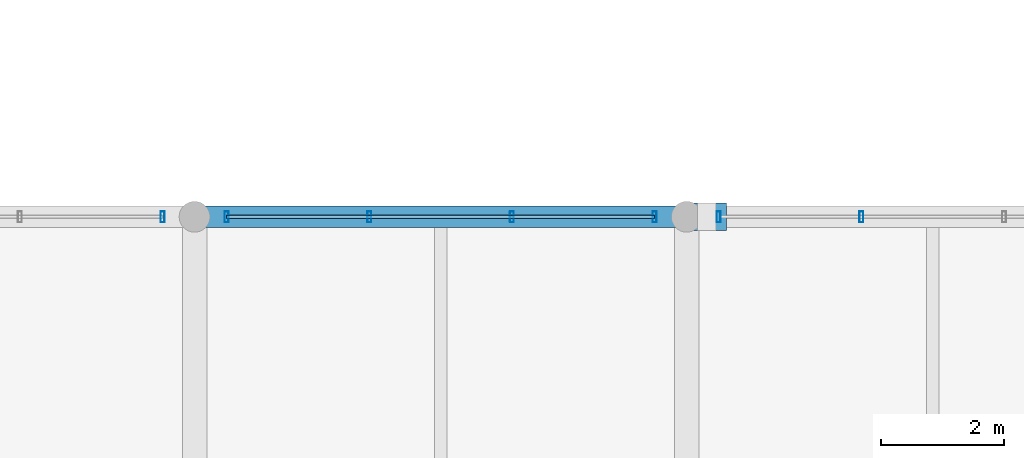
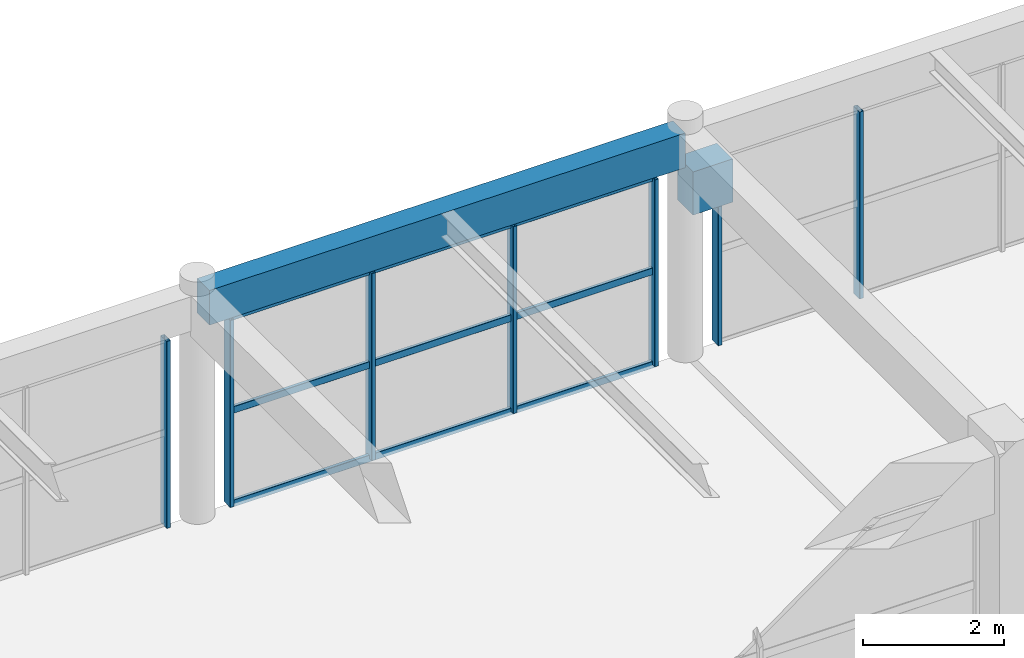
# One storey, part 46 of 126: 10 members, 2 beams, 3 elements without a shape of their own.
"""IFC4 building model written with IfcOpenShell, lengths in metres."""

from ifc_helpers import new_model, si_unit, direction, frame, origin, origin_2d, place, context, subcontext, project, spatial, rectangle, hollow_rectangle, extrude, material, material_profile, profile_set, type_object, element, aggregate, save


model = new_model("IFC4")

# Units and contexts
model_context = context("Model", 3, precision=1e-05, world=origin(), true_north=direction((0.0, 1.0)))
body_context = subcontext(model_context, "Body", "Model", "MODEL_VIEW")
ifc_project = project(units=[si_unit("LENGTHUNIT", "METRE"), si_unit("AREAUNIT", "SQUARE_METRE"), si_unit("VOLUMEUNIT", "CUBIC_METRE"), si_unit("PLANEANGLEUNIT", "RADIAN"), si_unit("MASSUNIT", "GRAM", prefix="KILO")], contexts=[model_context])

# Site, building, storey
site_placement = place(None, origin())
site = spatial("IfcSite", under=ifc_project, at=site_placement, CompositionType="ELEMENT")
building_placement = place(site_placement, origin())
building = spatial("IfcBuilding", under=site, at=building_placement, Name="Varnabhumi Central Station", CompositionType="ELEMENT")
storey_placement = place(building_placement, frame((0.0, 0.0, 16.199951171875)))
storey = spatial("IfcBuildingStorey", under=building, at=storey_placement, Name="L03", CompositionType="ELEMENT", Elevation=16.199951171875)

# Beams
ifc_material_1 = material(Name="Concrete M40", Category="concrete")
ifc_material_profile_1 = material_profile(ifc_material_1, rectangle(XDim=0.35009765625, YDim=0.60009765625, at=origin_2d()), Name="Concrete M40", Category="concrete")
ifc_profile_set_1 = profile_set([ifc_material_profile_1], Name="Concrete M40")
beam_type_1 = type_object("IfcBeamType", Name="BM-RC-350x600", PredefinedType="BEAM", material=ifc_profile_set_1)
beam_1_placement = place(storey_placement, frame((56.10009765625, 89.0, 3.650146484375), z_axis=(1.0, 0.0, 0.0), x_axis=(0.0, 1.0, 0.0)))
element("IfcBeam", 1, at=beam_1_placement, inside=storey, type_object=beam_type_1, Name="Beam L03-L:8-9", PredefinedType="BEAM", context=body_context, shape_type="SweptSolid", body=[
    extrude(rectangle(XDim=0.35009765625, YDim=0.60009765625, at=origin_2d()), origin(), (0.0, 0.0, 1.0), 7.7998046875),
])
ifc_material_profile_2 = material_profile(ifc_material_1, rectangle(XDim=0.449951171875, YDim=0.75, at=origin_2d()), Name="Concrete M40", Category="concrete")
ifc_profile_set_2 = profile_set([ifc_material_profile_2], Name="Concrete M40")
beam_type_2 = type_object("IfcBeamType", Name="BM-RC-450x750", PredefinedType="BEAM", material=ifc_profile_set_2)
beam_2_placement = place(storey_placement, frame((64.0, 89.0, 2.89501953125), z_axis=(1.0, 0.0, 0.0), x_axis=(0.0, 1.0, 0.0)))
element("IfcBeam", 2, at=beam_2_placement, inside=storey, type_object=beam_type_2, Name="Movement Joint 650mm Corbel Seat L03-L-9", PredefinedType="BEAM", context=body_context, shape_type="SweptSolid", body=[
    extrude(rectangle(XDim=0.449951171875, YDim=0.75, at=origin_2d()), origin(), (0.0, 0.0, 1.0), 0.64990234375),
])

# Curtain wall, member
ifc_material_2 = material(Name="Anodised aluminium 6063-T6", Category="aluminium")
curtain_wall_type = type_object("IfcCurtainWallType", Name="CW-PATIO-LOGGIA-L3", PredefinedType="NOTDEFINED", material=ifc_material_2)
curtain_wall_1_placement = place(storey_placement, origin())
curtain_wall_1 = element("IfcCurtainWall", 3, at=curtain_wall_1_placement, inside=storey, type_object=curtain_wall_type, Name="Curtain Wall CW-NP3S1", PredefinedType="NOTDEFINED")
ifc_material_profile_3 = material_profile(ifc_material_2, hollow_rectangle(XDim=0.06494140625, YDim=0.179931640625, WallThickness=0.00390625, InnerFilletRadius=0.001953125, OuterFilletRadius=0.006103515625, at=origin_2d()), Name="Anodised aluminium 6063-T6", Category="aluminium")
ifc_profile_set_3 = profile_set([ifc_material_profile_3], Name="Anodised aluminium 6063-T6")
member_type_1 = type_object("IfcMemberType", Name="CW-MUL-180", PredefinedType="MULLION", material=ifc_profile_set_3)
member_1_placement = place(storey_placement, frame((55.47998046875, 89.0, 0.0), z_axis=(0.0, 0.0, 1.0), x_axis=(1.0, 0.0, 0.0)))
member_1 = element("IfcMember", 4, at=member_1_placement, type_object=member_type_1, Name="Curtain Wall Mullion CW-NP3S1-M4", PredefinedType="MULLION", context=body_context, shape_type="SweptSolid", body=[
    extrude(hollow_rectangle(XDim=0.06494140625, YDim=0.179931640625, WallThickness=0.00390625, InnerFilletRadius=0.001953125, OuterFilletRadius=0.006103515625, at=origin_2d()), origin(), (0.0, 0.0, 1.0), 3.239990234375),
])
aggregate(curtain_wall_1, [member_1])

# Curtain wall, members
curtain_wall_2_placement = place(storey_placement, origin())
curtain_wall_2 = element("IfcCurtainWall", 5, at=curtain_wall_2_placement, inside=storey, type_object=curtain_wall_type, Name="Curtain Wall CW-NP3S2", PredefinedType="NOTDEFINED")
member_2_placement = place(storey_placement, frame((56.52001953125, 89.0, 0.0), z_axis=(0.0, 0.0, 1.0), x_axis=(1.0, 0.0, 0.0)))
member_2 = element("IfcMember", 6, at=member_2_placement, type_object=member_type_1, Name="Curtain Wall Mullion CW-NP3S2-M1", PredefinedType="MULLION", context=body_context, shape_type="SweptSolid", body=[
    extrude(hollow_rectangle(XDim=0.06494140625, YDim=0.179931640625, WallThickness=0.00390625, InnerFilletRadius=0.001953125, OuterFilletRadius=0.006103515625, at=origin_2d()), origin(), (0.0, 0.0, 1.0), 3.239990234375),
])
member_3_placement = place(storey_placement, frame((58.840087890625, 89.0, 0.0), z_axis=(0.0, 0.0, 1.0), x_axis=(1.0, 0.0, 0.0)))
member_3 = element("IfcMember", 7, at=member_3_placement, type_object=member_type_1, Name="Curtain Wall Mullion CW-NP3S2-M2", PredefinedType="MULLION", context=body_context, shape_type="SweptSolid", body=[
    extrude(hollow_rectangle(XDim=0.06494140625, YDim=0.179931640625, WallThickness=0.00390625, InnerFilletRadius=0.001953125, OuterFilletRadius=0.006103515625, at=origin_2d()), origin(), (0.0, 0.0, 1.0), 3.239990234375),
])
member_4_placement = place(storey_placement, frame((61.159912109375, 89.0, 0.0), z_axis=(0.0, 0.0, 1.0), x_axis=(1.0, 0.0, 0.0)))
member_4 = element("IfcMember", 8, at=member_4_placement, type_object=member_type_1, Name="Curtain Wall Mullion CW-NP3S2-M3", PredefinedType="MULLION", context=body_context, shape_type="SweptSolid", body=[
    extrude(hollow_rectangle(XDim=0.06494140625, YDim=0.179931640625, WallThickness=0.00390625, InnerFilletRadius=0.001953125, OuterFilletRadius=0.006103515625, at=origin_2d()), origin(), (0.0, 0.0, 1.0), 3.239990234375),
])
member_5_placement = place(storey_placement, frame((63.47998046875, 89.0, 0.0), z_axis=(0.0, 0.0, 1.0), x_axis=(1.0, 0.0, 0.0)))
member_5 = element("IfcMember", 9, at=member_5_placement, type_object=member_type_1, Name="Curtain Wall Mullion CW-NP3S2-M4", PredefinedType="MULLION", context=body_context, shape_type="SweptSolid", body=[
    extrude(hollow_rectangle(XDim=0.06494140625, YDim=0.179931640625, WallThickness=0.00390625, InnerFilletRadius=0.001953125, OuterFilletRadius=0.006103515625, at=origin_2d()), origin(), (0.0, 0.0, 1.0), 3.239990234375),
])

curtain_wall_3_placement = place(storey_placement, origin())
curtain_wall_3 = element("IfcCurtainWall", 10, at=curtain_wall_3_placement, inside=storey, type_object=curtain_wall_type, Name="Curtain Wall CW-NP3S3", PredefinedType="NOTDEFINED")
member_6_placement = place(storey_placement, frame((64.52001953125, 89.0, 0.0), z_axis=(0.0, 0.0, 1.0), x_axis=(1.0, 0.0, 0.0)))
member_6 = element("IfcMember", 11, at=member_6_placement, type_object=member_type_1, Name="Curtain Wall Mullion CW-NP3S3-M1", PredefinedType="MULLION", context=body_context, shape_type="SweptSolid", body=[
    extrude(hollow_rectangle(XDim=0.06494140625, YDim=0.179931640625, WallThickness=0.00390625, InnerFilletRadius=0.001953125, OuterFilletRadius=0.006103515625, at=origin_2d()), origin(), (0.0, 0.0, 1.0), 3.239990234375),
])
member_7_placement = place(storey_placement, frame((66.840087890625, 89.0, 0.0), z_axis=(0.0, 0.0, 1.0), x_axis=(1.0, 0.0, 0.0)))
member_7 = element("IfcMember", 12, at=member_7_placement, type_object=member_type_1, Name="Curtain Wall Mullion CW-NP3S3-M2", PredefinedType="MULLION", context=body_context, shape_type="SweptSolid", body=[
    extrude(hollow_rectangle(XDim=0.06494140625, YDim=0.179931640625, WallThickness=0.00390625, InnerFilletRadius=0.001953125, OuterFilletRadius=0.006103515625, at=origin_2d()), origin(), (0.0, 0.0, 1.0), 3.239990234375),
])
aggregate(curtain_wall_3, [member_6, member_7])

# Member
ifc_material_profile_4 = material_profile(ifc_material_2, hollow_rectangle(XDim=0.054931640625, YDim=0.1201171875, WallThickness=0.00341796875, InnerFilletRadius=0.00146484375, OuterFilletRadius=0.0048828125, at=origin_2d()), Name="Anodised aluminium 6063-T6", Category="aluminium")
ifc_profile_set_4 = profile_set([ifc_material_profile_4], Name="Anodised aluminium 6063-T6")
member_type_2 = type_object("IfcMemberType", Name="CW-TR-120", PredefinedType="USERDEFINED", material=ifc_profile_set_4)
member_8_placement = place(storey_placement, frame((56.52001953125, 89.0, 0.0), z_axis=(1.0, 0.0, 0.0), x_axis=(0.0, 1.0, 0.0)))
member_8 = element("IfcMember", 13, at=member_8_placement, type_object=member_type_2, Name="Curtain Wall Transom CW-NP3S2-T1", ObjectType="TRANSOM", PredefinedType="USERDEFINED", context=body_context, shape_type="SweptSolid", body=[
    extrude(hollow_rectangle(XDim=0.054931640625, YDim=0.1201171875, WallThickness=0.00341796875, InnerFilletRadius=0.00146484375, OuterFilletRadius=0.0048828125, at=origin_2d()), origin(), (0.0, 0.0, 1.0), 6.9599609375),
])

member_9_placement = place(storey_placement, frame((56.52001953125, 89.0, 1.6201171875), z_axis=(1.0, 0.0, 0.0), x_axis=(0.0, 1.0, 0.0)))
member_9 = element("IfcMember", 14, at=member_9_placement, type_object=member_type_2, Name="Curtain Wall Transom CW-NP3S2-T2", ObjectType="TRANSOM", PredefinedType="USERDEFINED", context=body_context, shape_type="SweptSolid", body=[
    extrude(hollow_rectangle(XDim=0.054931640625, YDim=0.1201171875, WallThickness=0.00341796875, InnerFilletRadius=0.00146484375, OuterFilletRadius=0.0048828125, at=origin_2d()), origin(), (0.0, 0.0, 1.0), 6.9599609375),
])

member_10_placement = place(storey_placement, frame((56.52001953125, 89.0, 3.239990234375), z_axis=(1.0, 0.0, 0.0), x_axis=(0.0, 1.0, 0.0)))
member_10 = element("IfcMember", 15, at=member_10_placement, type_object=member_type_2, Name="Curtain Wall Transom CW-NP3S2-T3", ObjectType="TRANSOM", PredefinedType="USERDEFINED", context=body_context, shape_type="SweptSolid", body=[
    extrude(hollow_rectangle(XDim=0.054931640625, YDim=0.1201171875, WallThickness=0.00341796875, InnerFilletRadius=0.00146484375, OuterFilletRadius=0.0048828125, at=origin_2d()), origin(), (0.0, 0.0, 1.0), 6.9599609375),
])

aggregate(curtain_wall_2, [member_2, member_3, member_4, member_5, member_8, member_9, member_10])

save(model, "model.ifc")
